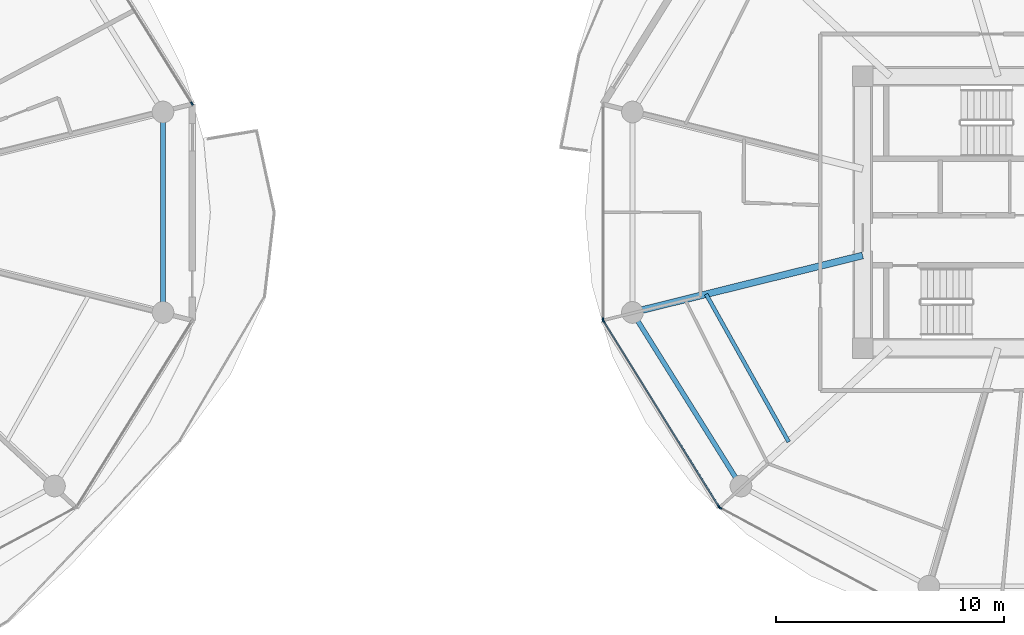
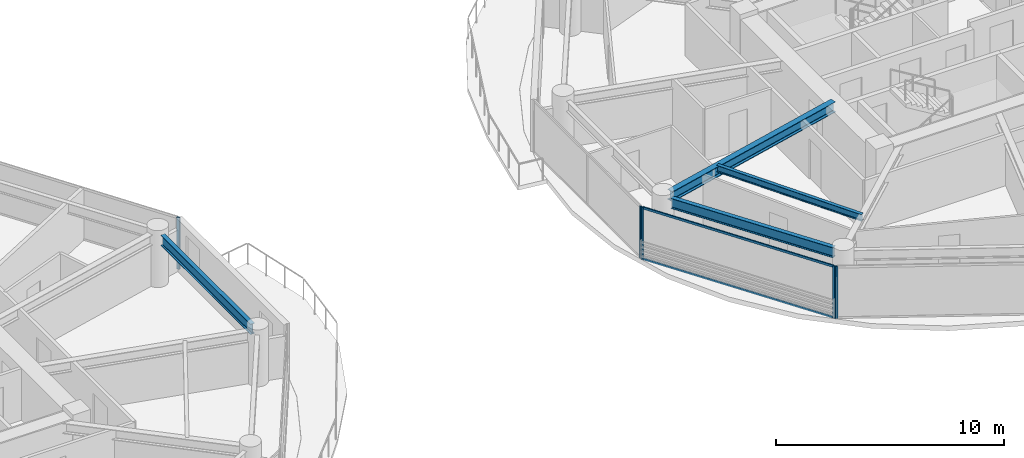
# One storey, part 6 of 27: 7 members, 4 beams, 4 elements without a shape of their own.
"""IFC4 building model written with IfcOpenShell, lengths in metres."""

from ifc_helpers import new_model, si_unit, direction, frame, origin, origin_2d, place, context, subcontext, project, spatial, rectangle, i_section, extrude, source, transform, mapped, material, layer, layer_set, material_profile, profile_set, type_object, type_shapes, element, aggregate, save


model = new_model("IFC4")

# Units and contexts
model_context = context("Model", 3, precision=1e-05, world=origin(), true_north=direction((0.0, 1.0)))
body_context = subcontext(model_context, "Body", "Model", "MODEL_VIEW")
ifc_project = project(units=[si_unit("LENGTHUNIT", "METRE"), si_unit("AREAUNIT", "SQUARE_METRE"), si_unit("VOLUMEUNIT", "CUBIC_METRE"), si_unit("PLANEANGLEUNIT", "RADIAN"), si_unit("MASSUNIT", "GRAM", prefix="KILO")], contexts=[model_context])

# Site, building, storey
site_placement = place(None, origin())
site = spatial("IfcSite", under=ifc_project, at=site_placement, CompositionType="ELEMENT")
building_placement = place(site_placement, origin())
building = spatial("IfcBuilding", under=site, at=building_placement, Name="Norrkilde Senior Care Towers", CompositionType="ELEMENT")
storey_placement = place(building_placement, frame((0.0, 0.0, 61.25)))
storey = spatial("IfcBuildingStorey", under=building, at=storey_placement, Name="L18", CompositionType="ELEMENT", Elevation=61.25)

# Beams
ifc_material_1 = material(Name="Steel S355", Category="steel")
ifc_material_profile_1 = material_profile(ifc_material_1, i_section(OverallWidth=0.2099609375, OverallDepth=0.550048828125, WebThickness=0.010986328125, FlangeThickness=0.01708984375, FilletRadius=0.02392578125, at=origin_2d()), Name="IPE 550")
ifc_profile_set_1 = profile_set([ifc_material_profile_1], Name="Steel S355")
beam_type_1 = type_object("IfcBeamType", Name="Perimeter Ring Spandrel Z1 IPE550", PredefinedType="SPANDREL", material=ifc_profile_set_1)
shared_shape_1 = source(origin(), body_context, "Body", "SweptSolid", [
    extrude(i_section(OverallWidth=0.2099609375, OverallDepth=0.550048828125, WebThickness=0.010986328125, FlangeThickness=0.01708984375, FilletRadius=0.02392578125, at=origin_2d()), origin(), (0.0, 0.0, 1.0), 8.090576171875),
])
beam_1_placement = place(storey_placement, frame((10.505859375, -4.755859375, 2.514892578125), z_axis=(0.530004364821, -0.84799491347, 0.0), x_axis=(0.84799491347, 0.530004364821, 0.0)))
element("IfcBeam", 1, at=beam_1_placement, inside=storey, type_object=beam_type_1, Name="L18 Drum E Perimeter Spandrel 07", PredefinedType="SPANDREL", context=body_context, shape_type="MappedRepresentation", body=[
    mapped(shared_shape_1, transform((0.0, 0.0, 0.0), x_axis=(1.0, 0.0, 0.0), y_axis=(0.0, 1.0, 0.0), z_axis=(0.0, 0.0, 1.0), scale=1.0)),
])
ifc_material_profile_2 = material_profile(ifc_material_1, i_section(OverallWidth=0.300048828125, OverallDepth=0.550048828125, WebThickness=0.014892578125, FlangeThickness=0.029052734375, FilletRadius=0.027099609375, at=origin_2d()), Name="HEB 550")
ifc_profile_set_2 = profile_set([ifc_material_profile_2], Name="Steel S355")
beam_type_2 = type_object("IfcBeamType", Name="Radial Floor Beam Z1 HEB550", PredefinedType="BEAM", material=ifc_profile_set_2)
shared_shape_2 = source(origin(), body_context, "Body", "SweptSolid", [
    extrude(i_section(OverallWidth=0.300048828125, OverallDepth=0.550048828125, WebThickness=0.014892578125, FlangeThickness=0.029052734375, FilletRadius=0.027099609375, at=origin_2d()), origin(), (0.0, 0.0, 1.0), 9.94384765625),
])
type_shapes(beam_type_2, [shared_shape_2])
beam_2_placement = place(storey_placement, frame((20.35009765625, -1.893310546875, 2.514892578125), z_axis=(-0.970707425182, -0.240264634718, 0.0), x_axis=(0.240264634718, -0.970707425182, 0.0)))
element("IfcBeam", 2, at=beam_2_placement, inside=storey, type_object=beam_type_2, Name="L18 Drum E Radial Floor Beam 07", PredefinedType="BEAM", context=body_context, shape_type="MappedRepresentation", body=[
    mapped(shared_shape_2, transform((0.0, 0.0, 0.0), x_axis=(1.0, 0.0, 0.0), y_axis=(0.0, 1.0, 0.0), z_axis=(0.0, 0.0, 1.0), scale=1.0)),
])
shared_shape_3 = source(origin(), body_context, "Body", "SweptSolid", [
    extrude(i_section(OverallWidth=0.2099609375, OverallDepth=0.550048828125, WebThickness=0.010986328125, FlangeThickness=0.01708984375, FilletRadius=0.02392578125, at=origin_2d()), origin(), (0.0, 0.0, 1.0), 7.90380859375),
])
type_shapes(beam_type_1, [shared_shape_1, shared_shape_3])
beam_3_placement = place(storey_placement, frame((-10.275146484375, -3.951904296875, 2.514892578125), z_axis=(0.0, 1.0, 0.0), x_axis=(-1.0, 0.0, 0.0)))
element("IfcBeam", 3, at=beam_3_placement, inside=storey, type_object=beam_type_1, Name="L18 Drum W Perimeter Spandrel 12", PredefinedType="SPANDREL", context=body_context, shape_type="MappedRepresentation", body=[
    mapped(shared_shape_3, transform((0.0, 0.0, 0.0), x_axis=(1.0, 0.0, 0.0), y_axis=(0.0, 1.0, 0.0), z_axis=(0.0, 0.0, 1.0), scale=1.0)),
])
ifc_material_profile_3 = material_profile(ifc_material_1, i_section(OverallWidth=0.169921875, OverallDepth=0.360107421875, WebThickness=0.008056640625, FlangeThickness=0.0126953125, FilletRadius=0.01806640625, at=origin_2d()), Name="IPE 360")
ifc_profile_set_3 = profile_set([ifc_material_profile_3], Name="Steel S355")
beam_type_3 = type_object("IfcBeamType", Name="Secondary Floor Joist IPE360", PredefinedType="JOIST", material=ifc_profile_set_3)
shared_shape_4 = source(origin(), body_context, "Body", "SweptSolid", [
    extrude(i_section(OverallWidth=0.169921875, OverallDepth=0.360107421875, WebThickness=0.008056640625, FlangeThickness=0.0126953125, FilletRadius=0.01806640625, at=origin_2d()), origin(), (0.0, 0.0, 1.0), 7.40771484375),
])
type_shapes(beam_type_3, [shared_shape_4])
beam_4_placement = place(storey_placement, frame((13.499267578125, -3.589111328125, 2.610107421875), z_axis=(0.488167754092, -0.872749817453, 0.0), x_axis=(0.872749817453, 0.488167754092, 0.0)))
element("IfcBeam", 4, at=beam_4_placement, inside=storey, type_object=beam_type_3, Name="L18 Drum E Secondary Floor Joist 3", PredefinedType="JOIST", context=body_context, shape_type="MappedRepresentation", body=[
    mapped(shared_shape_4, transform((0.0, 0.0, 0.0), x_axis=(1.0, 0.0, 0.0), y_axis=(0.0, 1.0, 0.0), z_axis=(0.0, 0.0, 1.0), scale=1.0)),
])

# Curtain wall, member
ifc_material_2 = material(Name="Triple Low-E Insulated Glazing", Category="glass")
ifc_layer = layer(ifc_material_2, 0.199951171875)
ifc_layer_set = layer_set([ifc_layer], Name="Triple Low-E Insulated Glazing")
curtain_wall_type = type_object("IfcCurtainWallType", Name="CW2 Zone 1 Memory Care Curtain Wall", PredefinedType="NOTDEFINED", material=ifc_layer_set)
curtain_wall_1_placement = place(storey_placement, origin())
curtain_wall_1 = element("IfcCurtainWall", 5, at=curtain_wall_1_placement, inside=storey, type_object=curtain_wall_type, Name="L18 Drum W Curtain Wall 00", PredefinedType="NOTDEFINED")
ifc_material_3 = material(Name="Anodised Aluminium", Category="aluminium")
ifc_material_profile_4 = material_profile(ifc_material_3, rectangle(XDim=0.06494140625, YDim=0.159912109375, at=origin_2d()), Name="ALU MULL 65x160")
ifc_profile_set_4 = profile_set([ifc_material_profile_4], Name="Anodised Aluminium")
member_type_1 = type_object("IfcMemberType", Name="Curtain Wall Mullion Z1-Z2 65x160", PredefinedType="MULLION", material=ifc_profile_set_4)
shared_shape_5 = source(origin(), body_context, "Body", "SweptSolid", [
    extrude(rectangle(XDim=0.06494140625, YDim=0.159912109375, at=origin_2d()), origin(), (0.0, 0.0, 1.0), 2.7900390625),
])
type_shapes(member_type_1, [shared_shape_5])
member_1_placement = place(storey_placement, frame((-9.0078125, 4.7587890625, 0.0), z_axis=(0.0, 0.0, 1.0), x_axis=(0.849305943117, 0.527900951871, 0.0)))
member_1 = element("IfcMember", 6, at=member_1_placement, type_object=member_type_1, Name="CW-2 mullion 2", PredefinedType="MULLION", context=body_context, shape_type="MappedRepresentation", body=[
    mapped(shared_shape_5, transform((0.0, 0.0, 0.0), x_axis=(1.0, 0.0, 0.0), y_axis=(0.0, 1.0, 0.0), z_axis=(0.0, 0.0, 1.0), scale=1.0)),
])
aggregate(curtain_wall_1, [member_1])

curtain_wall_2_placement = place(storey_placement, origin())
curtain_wall_2 = element("IfcCurtainWall", 7, at=curtain_wall_2_placement, inside=storey, type_object=curtain_wall_type, Name="L18 Drum E Curtain Wall 05", PredefinedType="NOTDEFINED")
member_2_placement = place(storey_placement, frame((8.990478515625, -4.69873046875, 0.0), z_axis=(0.0, 0.0, 1.0), x_axis=(-1.0, 0.0, 0.0)))
member_2 = element("IfcMember", 8, at=member_2_placement, type_object=member_type_1, Name="CW-2 mullion 1", PredefinedType="MULLION", context=body_context, shape_type="MappedRepresentation", body=[
    mapped(shared_shape_5, transform((0.0, 0.0, 0.0), x_axis=(1.0, 0.0, 0.0), y_axis=(0.0, 1.0, 0.0), z_axis=(0.0, 0.0, 1.0), scale=1.0)),
])
aggregate(curtain_wall_2, [member_2])

# Curtain wall, members
curtain_wall_3_placement = place(storey_placement, origin())
curtain_wall_3 = element("IfcCurtainWall", 9, at=curtain_wall_3_placement, inside=storey, type_object=curtain_wall_type, Name="L18 Drum E Curtain Wall 06", PredefinedType="NOTDEFINED")
member_3_placement = place(storey_placement, frame((14.06689453125, -12.898193359375, 0.0), z_axis=(0.0, 0.0, 1.0), x_axis=(-0.849305943117, -0.527900951871, 0.0)))
member_3 = element("IfcMember", 10, at=member_3_placement, type_object=member_type_1, Name="CW-2 mullion 1", PredefinedType="MULLION", context=body_context, shape_type="MappedRepresentation", body=[
    mapped(shared_shape_5, transform((0.0, 0.0, 0.0), x_axis=(1.0, 0.0, 0.0), y_axis=(0.0, 1.0, 0.0), z_axis=(0.0, 0.0, 1.0), scale=1.0)),
])
member_4_placement = place(storey_placement, frame((9.0078125, -4.7587890625, 0.0), z_axis=(0.0, 0.0, 1.0), x_axis=(-0.849305943117, -0.527900951871, 0.0)))
member_4 = element("IfcMember", 11, at=member_4_placement, type_object=member_type_1, Name="CW-2 mullion 2", PredefinedType="MULLION", context=body_context, shape_type="MappedRepresentation", body=[
    mapped(shared_shape_5, transform((0.0, 0.0, 0.0), x_axis=(1.0, 0.0, 0.0), y_axis=(0.0, 1.0, 0.0), z_axis=(0.0, 0.0, 1.0), scale=1.0)),
])

# Curtain wall, member
curtain_wall_4_placement = place(storey_placement, origin())
curtain_wall_4 = element("IfcCurtainWall", 12, at=curtain_wall_4_placement, inside=storey, type_object=curtain_wall_type, Name="L18 Drum E Curtain Wall 07", PredefinedType="NOTDEFINED")
member_5_placement = place(storey_placement, frame((14.11279296875, -12.941162109375, 0.0), z_axis=(0.0, 0.0, 1.0), x_axis=(-0.472607802456, -0.881272866403, 0.0)))
member_5 = element("IfcMember", 13, at=member_5_placement, type_object=member_type_1, Name="CW-2 mullion 2", PredefinedType="MULLION", context=body_context, shape_type="MappedRepresentation", body=[
    mapped(shared_shape_5, transform((0.0, 0.0, 0.0), x_axis=(1.0, 0.0, 0.0), y_axis=(0.0, 1.0, 0.0), z_axis=(0.0, 0.0, 1.0), scale=1.0)),
])
aggregate(curtain_wall_4, [member_5])

# Member
ifc_material_profile_5 = material_profile(ifc_material_3, rectangle(XDim=0.06005859375, YDim=0.1201171875, at=origin_2d()), Name="ALU TRAN 60x120")
ifc_profile_set_5 = profile_set([ifc_material_profile_5], Name="Anodised Aluminium")
member_type_2 = type_object("IfcMemberType", Name="Curtain Wall Transom Typical 60x120", PredefinedType="USERDEFINED", material=ifc_profile_set_5)
shared_shape_6 = source(origin(), body_context, "Body", "SweptSolid", [
    extrude(rectangle(XDim=0.06005859375, YDim=0.1201171875, at=origin_2d()), origin(), (0.0, 0.0, 1.0), 9.5185546875),
])
type_shapes(member_type_2, [shared_shape_6])
member_6_placement = place(storey_placement, frame((14.0498046875, -12.87060546875, 0.030029296875), z_axis=(-0.527901620669, 0.849305527413, 0.0), x_axis=(-0.849305527413, -0.527901620669, 0.0)))
member_6 = element("IfcMember", 14, at=member_6_placement, type_object=member_type_2, Name="CW-2 transom 1.1", ObjectType="TRANSOM", PredefinedType="USERDEFINED", context=body_context, shape_type="MappedRepresentation", body=[
    mapped(shared_shape_6, transform((0.0, 0.0, 0.0), x_axis=(1.0, 0.0, 0.0), y_axis=(0.0, 1.0, 0.0), z_axis=(0.0, 0.0, 1.0), scale=1.0)),
])

member_7_placement = place(storey_placement, frame((14.0498046875, -12.87060546875, 2.760009765625), z_axis=(-0.527901620669, 0.849305527413, 0.0), x_axis=(-0.849305527413, -0.527901620669, 0.0)))
member_7 = element("IfcMember", 15, at=member_7_placement, type_object=member_type_2, Name="CW-2 transom 1.2", ObjectType="TRANSOM", PredefinedType="USERDEFINED", context=body_context, shape_type="MappedRepresentation", body=[
    mapped(shared_shape_6, transform((0.0, 0.0, 0.0), x_axis=(1.0, 0.0, 0.0), y_axis=(0.0, 1.0, 0.0), z_axis=(0.0, 0.0, 1.0), scale=1.0)),
])

aggregate(curtain_wall_3, [member_3, member_4, member_6, member_7])

save(model, "model.ifc")
